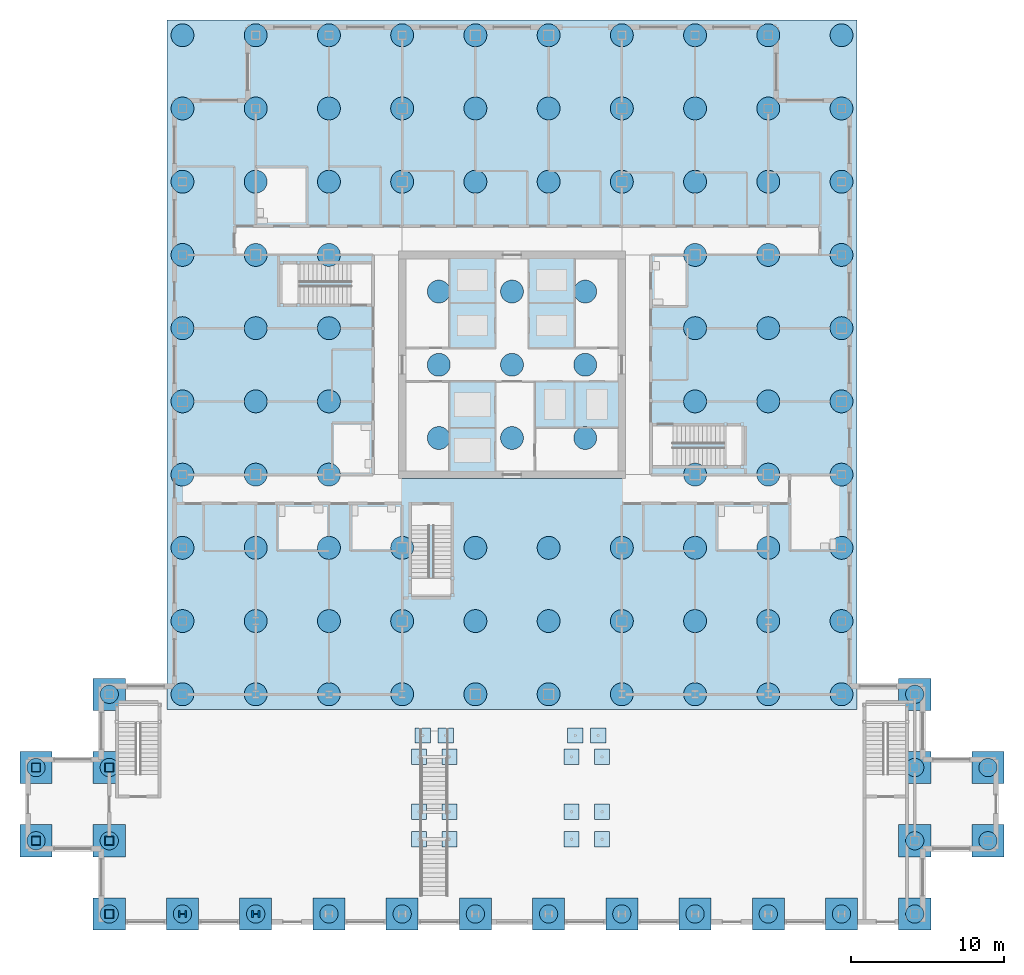
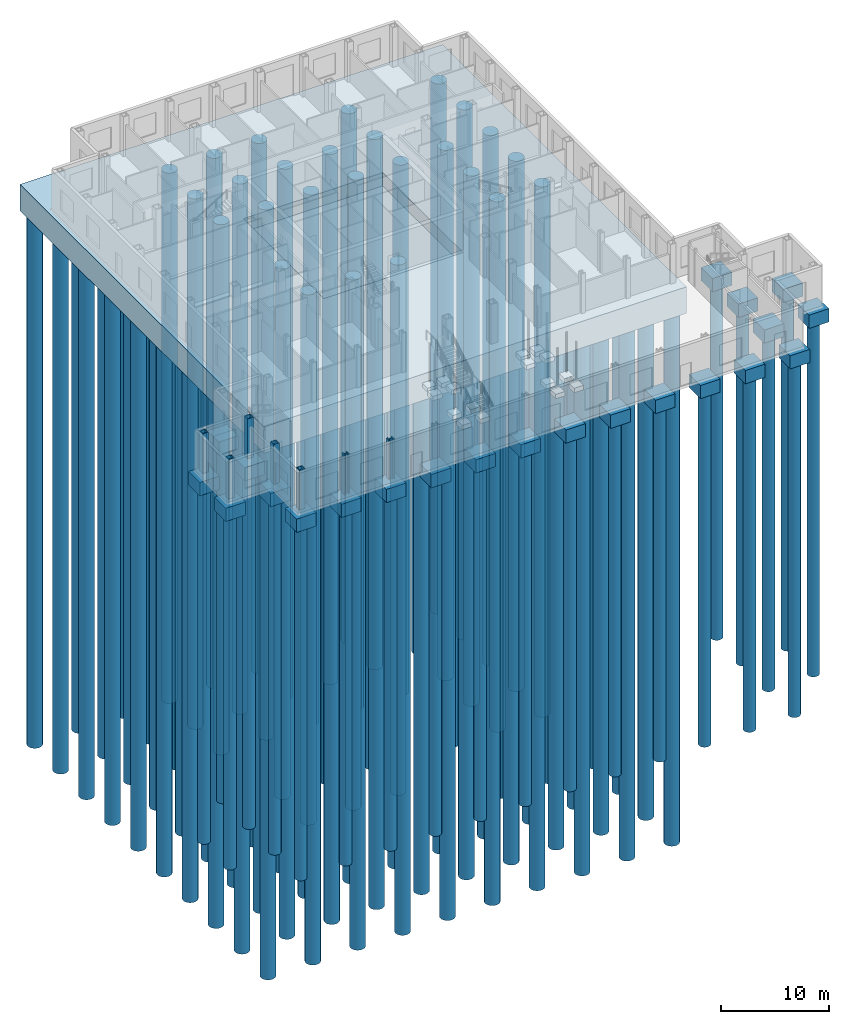
# One storey, part 1 of 22: 115 piles, 40 footings, 7 columns.
"""IFC4 building model written with IfcOpenShell, lengths in metres."""

from ifc_helpers import new_model, si_unit, direction, frame, origin, origin_2d, place, context, subcontext, project, spatial, polyline, rectangle, hollow_rectangle, circle, i_section, outline, extrude, material, layer, layer_set, material_profile, profile_set, type_object, element, save


model = new_model("IFC4")

# Units and contexts
model_context = context("Model", 3, precision=1e-05, world=origin(), true_north=direction((0.0, 1.0)))
body_context = subcontext(model_context, "Body", "Model", "MODEL_VIEW")
ifc_project = project(units=[si_unit("LENGTHUNIT", "METRE"), si_unit("AREAUNIT", "SQUARE_METRE"), si_unit("VOLUMEUNIT", "CUBIC_METRE"), si_unit("PLANEANGLEUNIT", "RADIAN"), si_unit("MASSUNIT", "GRAM", prefix="KILO")], contexts=[model_context])

# Site, building, storey
site_placement = place(None, origin())
site = spatial("IfcSite", under=ifc_project, at=site_placement, CompositionType="ELEMENT")
building_placement = place(site_placement, origin())
building = spatial("IfcBuilding", under=site, at=building_placement, Name="Kvirike Care Tower", CompositionType="ELEMENT")
storey_placement = place(building_placement, origin())
storey = spatial("IfcBuildingStorey", under=building, at=storey_placement, Name="L00", CompositionType="ELEMENT", Elevation=0.0)

# Piles
ifc_material_1 = material(Name="Concrete C35/45", Category="concrete")
ifc_material_profile_1 = material_profile(ifc_material_1, circle(Radius=0.60009765625, at=origin_2d()), Name="BORED PILE 1200")
ifc_profile_set_1 = profile_set([ifc_material_profile_1], Name="Concrete C35/45")
pile_type_1 = type_object("IfcPileType", Name="BORED PILE 1200", PredefinedType="BORED", material=ifc_profile_set_1)
for number, where, z_axis, x_axis, name in (
    (1, (-9.60009765625, 4.800048828125, -1.800048828125), (0.0, 0.0, -1.0), (1.0, 0.0, 0.0), "Bored pile B1"),
    (2, (-9.60009765625, 9.60009765625, -1.800048828125), (0.0, 0.0, -1.0), (1.0, 0.0, 0.0), "Bored pile C1"),
    (3, (-4.800048828125, 0.0, -1.800048828125), (0.0, 0.0, -1.0), (1.0, 0.0, 0.0), "Bored pile A2"),
    (4, (-4.800048828125, 4.800048828125, -1.800048828125), (0.0, 0.0, -1.0), (1.0, 0.0, 0.0), "Bored pile B2"),
    (5, (-4.800048828125, 9.60009765625, -1.800048828125), (0.0, 0.0, -1.0), (1.0, 0.0, 0.0), "Bored pile C2"),
    (6, (-4.800048828125, 14.39990234375, -1.800048828125), (0.0, 0.0, -1.0), (1.0, 0.0, 0.0), "Bored pile D2"),
    (7, (0.0, 0.0, -1.800048828125), (0.0, 0.0, -1.0), (1.0, 0.0, 0.0), "Bored pile A3"),
    (8, (4.800048828125, 0.0, -1.800048828125), (0.0, 0.0, -1.0), (1.0, 0.0, 0.0), "Bored pile A4"),
    (9, (9.60009765625, 0.0, -1.800048828125), (0.0, 0.0, -1.0), (1.0, 0.0, 0.0), "Bored pile A5"),
    (10, (14.39990234375, 0.0, -1.800048828125), (0.0, 0.0, -1.0), (1.0, 0.0, 0.0), "Bored pile A6"),
    (11, (19.199951171875, 0.0, -1.800048828125), (0.0, 0.0, -1.0), (1.0, 0.0, 0.0), "Bored pile A7"),
    (12, (24.0, 0.0, -1.800048828125), (0.0, 0.0, -1.0), (1.0, 0.0, 0.0), "Bored pile A8"),
    (13, (28.800048828125, 0.0, -1.800048828125), (0.0, 0.0, -1.0), (1.0, 0.0, 0.0), "Bored pile A9"),
    (14, (33.60009765625, 0.0, -1.800048828125), (0.0, 0.0, -1.0), (1.0, 0.0, 0.0), "Bored pile A10"),
    (15, (38.39990234375, 0.0, -1.800048828125), (0.0, 0.0, -1.0), (1.0, 0.0, 0.0), "Bored pile A11"),
    (16, (43.199951171875, 0.0, -1.800048828125), (0.0, 0.0, -1.0), (1.0, 0.0, 0.0), "Bored pile A12"),
    (17, (48.0, 0.0, -1.800048828125), (0.0, 0.0, -1.0), (1.0, 0.0, 0.0), "Bored pile A13"),
    (18, (48.0, 4.800048828125, -1.800048828125), (0.0, 0.0, -1.0), (1.0, 0.0, 0.0), "Bored pile B13"),
    (19, (48.0, 9.60009765625, -1.800048828125), (0.0, 0.0, -1.0), (1.0, 0.0, 0.0), "Bored pile C13"),
    (20, (48.0, 14.39990234375, -1.800048828125), (0.0, 0.0, -1.0), (1.0, 0.0, 0.0), "Bored pile D13"),
    (21, (52.800048828125, 4.800048828125, -1.800048828125), (0.0, 0.0, -1.0), (1.0, 0.0, 0.0), "Bored pile B14"),
    (22, (52.800048828125, 9.60009765625, -1.800048828125), (0.0, 0.0, -1.0), (1.0, 0.0, 0.0), "Bored pile C14"),
):
    element("IfcPile", number, at=place(storey_placement, frame(where, z_axis=z_axis, x_axis=x_axis)), inside=storey, type_object=pile_type_1, Name=name, PredefinedType="BORED", context=body_context, shape_type="SweptSolid", body=[
        extrude(circle(Radius=0.60009765625, at=origin_2d()), origin(), (0.0, 0.0, 1.0), 40.0),
    ])
ifc_material_2 = material(Name="Concrete C35/45", Category="concrete")
ifc_material_profile_2 = material_profile(ifc_material_2, circle(Radius=0.75, at=origin_2d()), Name="BORED PILE 1500")
ifc_profile_set_2 = profile_set([ifc_material_profile_2], Name="Concrete C35/45")
pile_type_2 = type_object("IfcPileType", Name="BORED PILE 1500", PredefinedType="BORED", material=ifc_profile_set_2)
for number, where, z_axis, x_axis, name in (
    (23, (0.0, 14.39990234375, -3.300048828125), (0.0, 0.0, -1.0), (1.0, 0.0, 0.0), "Bored pile D3"),
    (24, (0.0, 19.199951171875, -3.300048828125), (0.0, 0.0, -1.0), (1.0, 0.0, 0.0), "Bored pile E3"),
    (25, (0.0, 24.0, -3.300048828125), (0.0, 0.0, -1.0), (1.0, 0.0, 0.0), "Bored pile F3"),
    (26, (0.0, 28.800048828125, -3.300048828125), (0.0, 0.0, -1.0), (1.0, 0.0, 0.0), "Bored pile G3"),
    (27, (0.0, 33.60009765625, -3.300048828125), (0.0, 0.0, -1.0), (1.0, 0.0, 0.0), "Bored pile H3"),
    (28, (0.0, 38.39990234375, -3.300048828125), (0.0, 0.0, -1.0), (1.0, 0.0, 0.0), "Bored pile J3"),
    (29, (0.0, 43.199951171875, -3.300048828125), (0.0, 0.0, -1.0), (1.0, 0.0, 0.0), "Bored pile K3"),
    (30, (0.0, 48.0, -3.300048828125), (0.0, 0.0, -1.0), (1.0, 0.0, 0.0), "Bored pile L3"),
    (31, (0.0, 52.800048828125, -3.300048828125), (0.0, 0.0, -1.0), (1.0, 0.0, 0.0), "Bored pile M3"),
    (32, (0.0, 57.60009765625, -3.300048828125), (0.0, 0.0, -1.0), (1.0, 0.0, 0.0), "Bored pile N3"),
    (33, (4.800048828125, 14.39990234375, -3.300048828125), (0.0, 0.0, -1.0), (1.0, 0.0, 0.0), "Bored pile D4"),
    (34, (4.800048828125, 19.199951171875, -3.300048828125), (0.0, 0.0, -1.0), (1.0, 0.0, 0.0), "Bored pile E4"),
    (35, (4.800048828125, 24.0, -3.300048828125), (0.0, 0.0, -1.0), (1.0, 0.0, 0.0), "Bored pile F4"),
    (36, (4.800048828125, 28.800048828125, -3.300048828125), (0.0, 0.0, -1.0), (1.0, 0.0, 0.0), "Bored pile G4"),
    (37, (4.800048828125, 33.60009765625, -3.300048828125), (0.0, 0.0, -1.0), (1.0, 0.0, 0.0), "Bored pile H4"),
    (38, (4.800048828125, 38.39990234375, -3.300048828125), (0.0, 0.0, -1.0), (1.0, 0.0, 0.0), "Bored pile J4"),
    (39, (4.800048828125, 43.199951171875, -3.300048828125), (0.0, 0.0, -1.0), (1.0, 0.0, 0.0), "Bored pile K4"),
    (40, (4.800048828125, 48.0, -3.300048828125), (0.0, 0.0, -1.0), (1.0, 0.0, 0.0), "Bored pile L4"),
    (41, (4.800048828125, 52.800048828125, -3.300048828125), (0.0, 0.0, -1.0), (1.0, 0.0, 0.0), "Bored pile M4"),
    (42, (4.800048828125, 57.60009765625, -3.300048828125), (0.0, 0.0, -1.0), (1.0, 0.0, 0.0), "Bored pile N4"),
    (43, (9.60009765625, 14.39990234375, -3.300048828125), (0.0, 0.0, -1.0), (1.0, 0.0, 0.0), "Bored pile D5"),
    (44, (9.60009765625, 19.199951171875, -3.300048828125), (0.0, 0.0, -1.0), (1.0, 0.0, 0.0), "Bored pile E5"),
    (45, (9.60009765625, 24.0, -3.300048828125), (0.0, 0.0, -1.0), (1.0, 0.0, 0.0), "Bored pile F5"),
    (46, (9.60009765625, 28.800048828125, -3.300048828125), (0.0, 0.0, -1.0), (1.0, 0.0, 0.0), "Bored pile G5"),
    (47, (9.60009765625, 33.60009765625, -3.300048828125), (0.0, 0.0, -1.0), (1.0, 0.0, 0.0), "Bored pile H5"),
    (48, (9.60009765625, 38.39990234375, -3.300048828125), (0.0, 0.0, -1.0), (1.0, 0.0, 0.0), "Bored pile J5"),
    (49, (9.60009765625, 43.199951171875, -3.300048828125), (0.0, 0.0, -1.0), (1.0, 0.0, 0.0), "Bored pile K5"),
    (50, (9.60009765625, 48.0, -3.300048828125), (0.0, 0.0, -1.0), (1.0, 0.0, 0.0), "Bored pile L5"),
    (51, (9.60009765625, 52.800048828125, -3.300048828125), (0.0, 0.0, -1.0), (1.0, 0.0, 0.0), "Bored pile M5"),
    (52, (9.60009765625, 57.60009765625, -3.300048828125), (0.0, 0.0, -1.0), (1.0, 0.0, 0.0), "Bored pile N5"),
    (53, (14.39990234375, 14.39990234375, -3.300048828125), (0.0, 0.0, -1.0), (1.0, 0.0, 0.0), "Bored pile D6"),
    (54, (14.39990234375, 19.199951171875, -3.300048828125), (0.0, 0.0, -1.0), (1.0, 0.0, 0.0), "Bored pile E6"),
    (55, (14.39990234375, 24.0, -3.300048828125), (0.0, 0.0, -1.0), (1.0, 0.0, 0.0), "Bored pile F6"),
    (56, (14.39990234375, 48.0, -3.300048828125), (0.0, 0.0, -1.0), (1.0, 0.0, 0.0), "Bored pile L6"),
    (57, (14.39990234375, 52.800048828125, -3.300048828125), (0.0, 0.0, -1.0), (1.0, 0.0, 0.0), "Bored pile M6"),
    (58, (14.39990234375, 57.60009765625, -3.300048828125), (0.0, 0.0, -1.0), (1.0, 0.0, 0.0), "Bored pile N6"),
    (59, (19.199951171875, 14.39990234375, -3.300048828125), (0.0, 0.0, -1.0), (1.0, 0.0, 0.0), "Bored pile D7"),
    (60, (19.199951171875, 19.199951171875, -3.300048828125), (0.0, 0.0, -1.0), (1.0, 0.0, 0.0), "Bored pile E7"),
    (61, (19.199951171875, 24.0, -3.300048828125), (0.0, 0.0, -1.0), (1.0, 0.0, 0.0), "Bored pile F7"),
    (62, (19.199951171875, 48.0, -3.300048828125), (0.0, 0.0, -1.0), (1.0, 0.0, 0.0), "Bored pile L7"),
    (63, (19.199951171875, 52.800048828125, -3.300048828125), (0.0, 0.0, -1.0), (1.0, 0.0, 0.0), "Bored pile M7"),
    (64, (19.199951171875, 57.60009765625, -3.300048828125), (0.0, 0.0, -1.0), (1.0, 0.0, 0.0), "Bored pile N7"),
    (65, (24.0, 14.39990234375, -3.300048828125), (0.0, 0.0, -1.0), (1.0, 0.0, 0.0), "Bored pile D8"),
    (66, (24.0, 19.199951171875, -3.300048828125), (0.0, 0.0, -1.0), (1.0, 0.0, 0.0), "Bored pile E8"),
    (67, (24.0, 24.0, -3.300048828125), (0.0, 0.0, -1.0), (1.0, 0.0, 0.0), "Bored pile F8"),
    (68, (24.0, 48.0, -3.300048828125), (0.0, 0.0, -1.0), (1.0, 0.0, 0.0), "Bored pile L8"),
    (69, (24.0, 52.800048828125, -3.300048828125), (0.0, 0.0, -1.0), (1.0, 0.0, 0.0), "Bored pile M8"),
    (70, (24.0, 57.60009765625, -3.300048828125), (0.0, 0.0, -1.0), (1.0, 0.0, 0.0), "Bored pile N8"),
    (71, (28.800048828125, 14.39990234375, -3.300048828125), (0.0, 0.0, -1.0), (1.0, 0.0, 0.0), "Bored pile D9"),
    (72, (28.800048828125, 19.199951171875, -3.300048828125), (0.0, 0.0, -1.0), (1.0, 0.0, 0.0), "Bored pile E9"),
    (73, (28.800048828125, 24.0, -3.300048828125), (0.0, 0.0, -1.0), (1.0, 0.0, 0.0), "Bored pile F9"),
    (74, (28.800048828125, 48.0, -3.300048828125), (0.0, 0.0, -1.0), (1.0, 0.0, 0.0), "Bored pile L9"),
    (75, (28.800048828125, 52.800048828125, -3.300048828125), (0.0, 0.0, -1.0), (1.0, 0.0, 0.0), "Bored pile M9"),
    (76, (28.800048828125, 57.60009765625, -3.300048828125), (0.0, 0.0, -1.0), (1.0, 0.0, 0.0), "Bored pile N9"),
    (77, (33.60009765625, 14.39990234375, -3.300048828125), (0.0, 0.0, -1.0), (1.0, 0.0, 0.0), "Bored pile D10"),
    (78, (33.60009765625, 19.199951171875, -3.300048828125), (0.0, 0.0, -1.0), (1.0, 0.0, 0.0), "Bored pile E10"),
    (79, (33.60009765625, 24.0, -3.300048828125), (0.0, 0.0, -1.0), (1.0, 0.0, 0.0), "Bored pile F10"),
    (80, (33.60009765625, 28.800048828125, -3.300048828125), (0.0, 0.0, -1.0), (1.0, 0.0, 0.0), "Bored pile G10"),
    (81, (33.60009765625, 33.60009765625, -3.300048828125), (0.0, 0.0, -1.0), (1.0, 0.0, 0.0), "Bored pile H10"),
    (82, (33.60009765625, 38.39990234375, -3.300048828125), (0.0, 0.0, -1.0), (1.0, 0.0, 0.0), "Bored pile J10"),
    (83, (33.60009765625, 43.199951171875, -3.300048828125), (0.0, 0.0, -1.0), (1.0, 0.0, 0.0), "Bored pile K10"),
    (84, (33.60009765625, 48.0, -3.300048828125), (0.0, 0.0, -1.0), (1.0, 0.0, 0.0), "Bored pile L10"),
    (85, (33.60009765625, 52.800048828125, -3.300048828125), (0.0, 0.0, -1.0), (1.0, 0.0, 0.0), "Bored pile M10"),
    (86, (33.60009765625, 57.60009765625, -3.300048828125), (0.0, 0.0, -1.0), (1.0, 0.0, 0.0), "Bored pile N10"),
    (87, (38.39990234375, 14.39990234375, -3.300048828125), (0.0, 0.0, -1.0), (1.0, 0.0, 0.0), "Bored pile D11"),
    (88, (38.39990234375, 19.199951171875, -3.300048828125), (0.0, 0.0, -1.0), (1.0, 0.0, 0.0), "Bored pile E11"),
    (89, (38.39990234375, 24.0, -3.300048828125), (0.0, 0.0, -1.0), (1.0, 0.0, 0.0), "Bored pile F11"),
    (90, (38.39990234375, 28.800048828125, -3.300048828125), (0.0, 0.0, -1.0), (1.0, 0.0, 0.0), "Bored pile G11"),
    (91, (38.39990234375, 33.60009765625, -3.300048828125), (0.0, 0.0, -1.0), (1.0, 0.0, 0.0), "Bored pile H11"),
    (92, (38.39990234375, 38.39990234375, -3.300048828125), (0.0, 0.0, -1.0), (1.0, 0.0, 0.0), "Bored pile J11"),
    (93, (38.39990234375, 43.199951171875, -3.300048828125), (0.0, 0.0, -1.0), (1.0, 0.0, 0.0), "Bored pile K11"),
    (94, (38.39990234375, 48.0, -3.300048828125), (0.0, 0.0, -1.0), (1.0, 0.0, 0.0), "Bored pile L11"),
    (95, (38.39990234375, 52.800048828125, -3.300048828125), (0.0, 0.0, -1.0), (1.0, 0.0, 0.0), "Bored pile M11"),
    (96, (38.39990234375, 57.60009765625, -3.300048828125), (0.0, 0.0, -1.0), (1.0, 0.0, 0.0), "Bored pile N11"),
    (97, (43.199951171875, 14.39990234375, -3.300048828125), (0.0, 0.0, -1.0), (1.0, 0.0, 0.0), "Bored pile D12"),
    (98, (43.199951171875, 19.199951171875, -3.300048828125), (0.0, 0.0, -1.0), (1.0, 0.0, 0.0), "Bored pile E12"),
    (99, (43.199951171875, 24.0, -3.300048828125), (0.0, 0.0, -1.0), (1.0, 0.0, 0.0), "Bored pile F12"),
    (100, (43.199951171875, 28.800048828125, -3.300048828125), (0.0, 0.0, -1.0), (1.0, 0.0, 0.0), "Bored pile G12"),
    (101, (43.199951171875, 33.60009765625, -3.300048828125), (0.0, 0.0, -1.0), (1.0, 0.0, 0.0), "Bored pile H12"),
    (102, (43.199951171875, 38.39990234375, -3.300048828125), (0.0, 0.0, -1.0), (1.0, 0.0, 0.0), "Bored pile J12"),
    (103, (43.199951171875, 43.199951171875, -3.300048828125), (0.0, 0.0, -1.0), (1.0, 0.0, 0.0), "Bored pile K12"),
    (104, (43.199951171875, 48.0, -3.300048828125), (0.0, 0.0, -1.0), (1.0, 0.0, 0.0), "Bored pile L12"),
    (105, (43.199951171875, 52.800048828125, -3.300048828125), (0.0, 0.0, -1.0), (1.0, 0.0, 0.0), "Bored pile M12"),
    (106, (43.199951171875, 57.60009765625, -3.300048828125), (0.0, 0.0, -1.0), (1.0, 0.0, 0.0), "Bored pile N12"),
    (107, (16.800048828125, 31.199951171875, -4.800048828125), (0.0, 0.0, -1.0), (1.0, 0.0, 0.0), "Bored pile under the core raft"),
    (108, (16.800048828125, 36.0, -4.800048828125), (0.0, 0.0, -1.0), (1.0, 0.0, 0.0), "Bored pile under the core raft"),
    (109, (16.800048828125, 40.800048828125, -4.800048828125), (0.0, 0.0, -1.0), (1.0, 0.0, 0.0), "Bored pile under the core raft"),
    (110, (21.60009765625, 31.199951171875, -4.800048828125), (0.0, 0.0, -1.0), (1.0, 0.0, 0.0), "Bored pile under the core raft"),
    (111, (21.60009765625, 36.0, -4.800048828125), (0.0, 0.0, -1.0), (1.0, 0.0, 0.0), "Bored pile under the core raft"),
    (112, (21.60009765625, 40.800048828125, -4.800048828125), (0.0, 0.0, -1.0), (1.0, 0.0, 0.0), "Bored pile under the core raft"),
    (113, (26.39990234375, 31.199951171875, -4.800048828125), (0.0, 0.0, -1.0), (1.0, 0.0, 0.0), "Bored pile under the core raft"),
    (114, (26.39990234375, 36.0, -4.800048828125), (0.0, 0.0, -1.0), (1.0, 0.0, 0.0), "Bored pile under the core raft"),
    (115, (26.39990234375, 40.800048828125, -4.800048828125), (0.0, 0.0, -1.0), (1.0, 0.0, 0.0), "Bored pile under the core raft"),
):
    element("IfcPile", number, at=place(storey_placement, frame(where, z_axis=z_axis, x_axis=x_axis)), inside=storey, type_object=pile_type_2, Name=name, PredefinedType="BORED", context=body_context, shape_type="SweptSolid", body=[
        extrude(circle(Radius=0.75, at=origin_2d()), origin(), (0.0, 0.0, 1.0), 60.0),
    ])

# Footings
ifc_material_3 = material(Name="Concrete C40/50", Category="concrete")
ifc_layer_1 = layer(ifc_material_3, 3.0)
ifc_layer_set_1 = layer_set([ifc_layer_1], Name="Concrete C40/50")
footing_type_1 = type_object("IfcFootingType", Name="CORE RAFT 3000", PredefinedType="PILE_CAP", material=ifc_layer_set_1)
footing_1_placement = place(storey_placement, frame((0.0, 0.0, -4.800048828125)))
element("IfcFooting", 116, at=footing_1_placement, inside=storey, type_object=footing_type_1, Name="Core raft under the lift pits", PredefinedType="PILE_CAP", context=body_context, shape_type="SweptSolid", body=[
    extrude(outline(polyline([(29.050048828125, 28.550048828125), (29.050048828125, 43.449951171875), (14.14990234375, 43.449951171875), (14.14990234375, 28.550048828125), (29.050048828125, 28.550048828125)])), origin(), (0.0, 0.0, 1.0), 3.0),
])
ifc_material_4 = material(Name="Concrete C40/50", Category="concrete")
ifc_layer_2 = layer(ifc_material_4, 0.5)
ifc_layer_set_2 = layer_set([ifc_layer_2], Name="Concrete C40/50")
footing_type_2 = type_object("IfcFootingType", Name="PAD FOOTING 1000", PredefinedType="PAD_FOOTING", material=ifc_layer_set_2)
for number, where, z_axis, x_axis, name in (
    (117, (15.5, 4.89990234375, -0.800048828125), (0.0, 0.0, 1.0), (1.0, 0.0, 0.0), "Pad footing feature stair FA post SW"),
    (118, (17.5, 4.89990234375, -0.800048828125), (0.0, 0.0, 1.0), (1.0, 0.0, 0.0), "Pad footing feature stair FA post SE"),
    (119, (15.5, 6.699951171875, -0.800048828125), (0.0, 0.0, 1.0), (1.0, 0.0, 0.0), "Pad footing feature stair FA post NW"),
    (120, (17.5, 6.699951171875, -0.800048828125), (0.0, 0.0, 1.0), (1.0, 0.0, 0.0), "Pad footing feature stair FA post NE"),
    (121, (15.5, 10.300048828125, -0.800048828125), (0.0, 0.0, 1.0), (1.0, 0.0, 0.0), "Pad footing feature stair FA post TW"),
    (122, (17.5, 10.300048828125, -0.800048828125), (0.0, 0.0, 1.0), (1.0, 0.0, 0.0), "Pad footing feature stair FA post TE"),
    (123, (15.75, 11.699951171875, -0.800048828125), (0.0, 0.0, 1.0), (1.0, 0.0, 0.0), "Pad footing feature stair FA post UW"),
    (124, (17.25, 11.699951171875, -0.800048828125), (0.0, 0.0, 1.0), (1.0, 0.0, 0.0), "Pad footing feature stair FA post UE"),
    (125, (25.5, 4.89990234375, -0.800048828125), (0.0, 0.0, 1.0), (1.0, 0.0, 0.0), "Pad footing feature stair FB post SW"),
    (126, (27.5, 4.89990234375, -0.800048828125), (0.0, 0.0, 1.0), (1.0, 0.0, 0.0), "Pad footing feature stair FB post SE"),
    (127, (25.5, 6.699951171875, -0.800048828125), (0.0, 0.0, 1.0), (1.0, 0.0, 0.0), "Pad footing feature stair FB post NW"),
    (128, (27.5, 6.699951171875, -0.800048828125), (0.0, 0.0, 1.0), (1.0, 0.0, 0.0), "Pad footing feature stair FB post NE"),
    (129, (25.5, 10.300048828125, -0.800048828125), (0.0, 0.0, 1.0), (1.0, 0.0, 0.0), "Pad footing feature stair FB post TW"),
    (130, (27.5, 10.300048828125, -0.800048828125), (0.0, 0.0, 1.0), (1.0, 0.0, 0.0), "Pad footing feature stair FB post TE"),
    (131, (25.75, 11.699951171875, -0.800048828125), (0.0, 0.0, 1.0), (1.0, 0.0, 0.0), "Pad footing feature stair FB post UW"),
    (132, (27.25, 11.699951171875, -0.800048828125), (0.0, 0.0, 1.0), (1.0, 0.0, 0.0), "Pad footing feature stair FB post UE"),
):
    element("IfcFooting", number, at=place(storey_placement, frame(where, z_axis=z_axis, x_axis=x_axis)), inside=storey, type_object=footing_type_2, Name=name, PredefinedType="PAD_FOOTING", context=body_context, shape_type="SweptSolid", body=[
        extrude(rectangle(XDim=1.0, YDim=1.0, at=origin_2d()), origin(), (0.0, 0.0, 1.0), 0.5),
    ])
ifc_material_5 = material(Name="Concrete C40/50", Category="concrete")
ifc_layer_3 = layer(ifc_material_5, 1.5)
ifc_layer_set_3 = layer_set([ifc_layer_3], Name="Concrete C40/50")
footing_type_3 = type_object("IfcFootingType", Name="PILE CAP 2100", PredefinedType="PILE_CAP", material=ifc_layer_set_3)
for number, where, z_axis, x_axis, name in (
    (133, (-9.60009765625, 4.800048828125, -1.800048828125), (0.0, 0.0, 1.0), (1.0, 0.0, 0.0), "Pile cap B1"),
    (134, (-9.60009765625, 9.60009765625, -1.800048828125), (0.0, 0.0, 1.0), (1.0, 0.0, 0.0), "Pile cap C1"),
    (135, (-4.800048828125, 0.0, -1.800048828125), (0.0, 0.0, 1.0), (1.0, 0.0, 0.0), "Pile cap A2"),
    (136, (-4.800048828125, 4.800048828125, -1.800048828125), (0.0, 0.0, 1.0), (1.0, 0.0, 0.0), "Pile cap B2"),
    (137, (-4.800048828125, 9.60009765625, -1.800048828125), (0.0, 0.0, 1.0), (1.0, 0.0, 0.0), "Pile cap C2"),
    (138, (-4.800048828125, 14.39990234375, -1.800048828125), (0.0, 0.0, 1.0), (1.0, 0.0, 0.0), "Pile cap D2"),
    (139, (0.0, 0.0, -1.800048828125), (0.0, 0.0, 1.0), (1.0, 0.0, 0.0), "Pile cap A3"),
    (140, (4.800048828125, 0.0, -1.800048828125), (0.0, 0.0, 1.0), (1.0, 0.0, 0.0), "Pile cap A4"),
    (141, (9.60009765625, 0.0, -1.800048828125), (0.0, 0.0, 1.0), (1.0, 0.0, 0.0), "Pile cap A5"),
    (142, (14.39990234375, 0.0, -1.800048828125), (0.0, 0.0, 1.0), (1.0, 0.0, 0.0), "Pile cap A6"),
    (143, (19.199951171875, 0.0, -1.800048828125), (0.0, 0.0, 1.0), (1.0, 0.0, 0.0), "Pile cap A7"),
    (144, (24.0, 0.0, -1.800048828125), (0.0, 0.0, 1.0), (1.0, 0.0, 0.0), "Pile cap A8"),
    (145, (28.800048828125, 0.0, -1.800048828125), (0.0, 0.0, 1.0), (1.0, 0.0, 0.0), "Pile cap A9"),
    (146, (33.60009765625, 0.0, -1.800048828125), (0.0, 0.0, 1.0), (1.0, 0.0, 0.0), "Pile cap A10"),
    (147, (38.39990234375, 0.0, -1.800048828125), (0.0, 0.0, 1.0), (1.0, 0.0, 0.0), "Pile cap A11"),
    (148, (43.199951171875, 0.0, -1.800048828125), (0.0, 0.0, 1.0), (1.0, 0.0, 0.0), "Pile cap A12"),
    (149, (48.0, 0.0, -1.800048828125), (0.0, 0.0, 1.0), (1.0, 0.0, 0.0), "Pile cap A13"),
    (150, (48.0, 4.800048828125, -1.800048828125), (0.0, 0.0, 1.0), (1.0, 0.0, 0.0), "Pile cap B13"),
    (151, (48.0, 9.60009765625, -1.800048828125), (0.0, 0.0, 1.0), (1.0, 0.0, 0.0), "Pile cap C13"),
    (152, (48.0, 14.39990234375, -1.800048828125), (0.0, 0.0, 1.0), (1.0, 0.0, 0.0), "Pile cap D13"),
    (153, (52.800048828125, 4.800048828125, -1.800048828125), (0.0, 0.0, 1.0), (1.0, 0.0, 0.0), "Pile cap B14"),
    (154, (52.800048828125, 9.60009765625, -1.800048828125), (0.0, 0.0, 1.0), (1.0, 0.0, 0.0), "Pile cap C14"),
):
    element("IfcFooting", number, at=place(storey_placement, frame(where, z_axis=z_axis, x_axis=x_axis)), inside=storey, type_object=footing_type_3, Name=name, PredefinedType="PILE_CAP", context=body_context, shape_type="SweptSolid", body=[
        extrude(rectangle(XDim=2.10009765625, YDim=2.10009765625, at=origin_2d()), origin(), (0.0, 0.0, 1.0), 1.5),
    ])
ifc_material_6 = material(Name="Concrete C40/50", Category="concrete")
ifc_layer_4 = layer(ifc_material_6, 3.0)
ifc_layer_set_4 = layer_set([ifc_layer_4], Name="Concrete C40/50")
footing_type_4 = type_object("IfcFootingType", Name="PILED RAFT 3000", PredefinedType="PILE_CAP", material=ifc_layer_set_4)
footing_2_placement = place(storey_placement, frame((0.0, 0.0, -3.300048828125)))
element("IfcFooting", 155, at=footing_2_placement, inside=storey, type_object=footing_type_4, Name="Tower piled raft", PredefinedType="PILE_CAP", context=body_context, shape_type="SweptSolid", body=[
    extrude(outline(polyline([(44.199951171875, 13.39990234375), (44.199951171875, 58.60009765625), (-1.0, 58.60009765625), (-1.0, 13.39990234375), (44.199951171875, 13.39990234375)]), holes=[polyline([(14.14990234375, 28.550048828125), (14.14990234375, 43.449951171875), (29.050048828125, 43.449951171875), (29.050048828125, 28.550048828125), (14.14990234375, 28.550048828125)])]), origin(), (0.0, 0.0, 1.0), 3.0),
])

# Columns
ifc_material_7 = material(Name="Steel S460", Category="steel")
ifc_material_profile_3 = material_profile(ifc_material_7, hollow_rectangle(XDim=0.60009765625, YDim=0.60009765625, WallThickness=0.050048828125, at=origin_2d()), Name="BX 600x600x50")
ifc_profile_set_3 = profile_set([ifc_material_profile_3], Name="Steel S460")
column_type_1 = type_object("IfcColumnType", Name="COLUMN BX 600x600x50", PredefinedType="COLUMN", material=ifc_profile_set_3)
for number, where, z_axis, x_axis, name in (
    (156, (-9.60009765625, 4.800048828125, 0.0), (0.0, 0.0, 1.0), (0.0, 1.0, 0.0), "Column B1 L00"),
    (157, (-9.60009765625, 9.60009765625, 0.0), (0.0, 0.0, 1.0), (0.0, 1.0, 0.0), "Column C1 L00"),
    (158, (-4.800048828125, 0.0, 0.0), (0.0, 0.0, 1.0), (0.0, 1.0, 0.0), "Column A2 L00"),
    (159, (-4.800048828125, 4.800048828125, 0.0), (0.0, 0.0, 1.0), (0.0, 1.0, 0.0), "Column B2 L00"),
    (160, (-4.800048828125, 9.60009765625, 0.0), (0.0, 0.0, 1.0), (0.0, 1.0, 0.0), "Column C2 L00"),
):
    element("IfcColumn", number, at=place(storey_placement, frame(where, z_axis=z_axis, x_axis=x_axis)), inside=storey, type_object=column_type_1, Name=name, PredefinedType="COLUMN", context=body_context, shape_type="SweptSolid", body=[
        extrude(hollow_rectangle(XDim=0.60009765625, YDim=0.60009765625, WallThickness=0.050048828125, at=origin_2d()), origin(), (0.0, 0.0, 1.0), 4.5),
    ])
ifc_material_8 = material(Name="Steel S460", Category="steel")
ifc_material_profile_4 = material_profile(ifc_material_8, i_section(OverallWidth=0.447998046875, OverallDepth=0.550048828125, WebThickness=0.072021484375, FlangeThickness=0.114990234375, FilletRadius=0.014892578125, at=origin_2d()), Name="HD 400x990")
ifc_profile_set_4 = profile_set([ifc_material_profile_4], Name="Steel S460")
column_type_2 = type_object("IfcColumnType", Name="COLUMN HD 400x990", PredefinedType="COLUMN", material=ifc_profile_set_4)
for number, where, z_axis, x_axis, name in (
    (161, (0.0, 0.0, 0.0), (0.0, 0.0, 1.0), (0.0, 1.0, 0.0), "Column A3 L00"),
    (162, (4.800048828125, 0.0, 0.0), (0.0, 0.0, 1.0), (0.0, 1.0, 0.0), "Column A4 L00"),
):
    element("IfcColumn", number, at=place(storey_placement, frame(where, z_axis=z_axis, x_axis=x_axis)), inside=storey, type_object=column_type_2, Name=name, PredefinedType="COLUMN", context=body_context, shape_type="SweptSolid", body=[
        extrude(i_section(OverallWidth=0.447998046875, OverallDepth=0.550048828125, WebThickness=0.072021484375, FlangeThickness=0.114990234375, FilletRadius=0.014892578125, at=origin_2d()), origin(), (0.0, 0.0, 1.0), 4.5),
    ])

save(model, "model.ifc")
